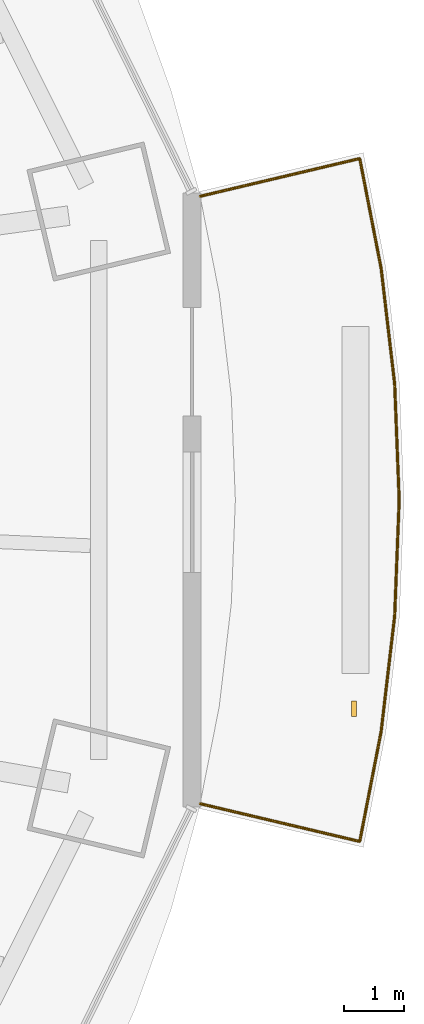
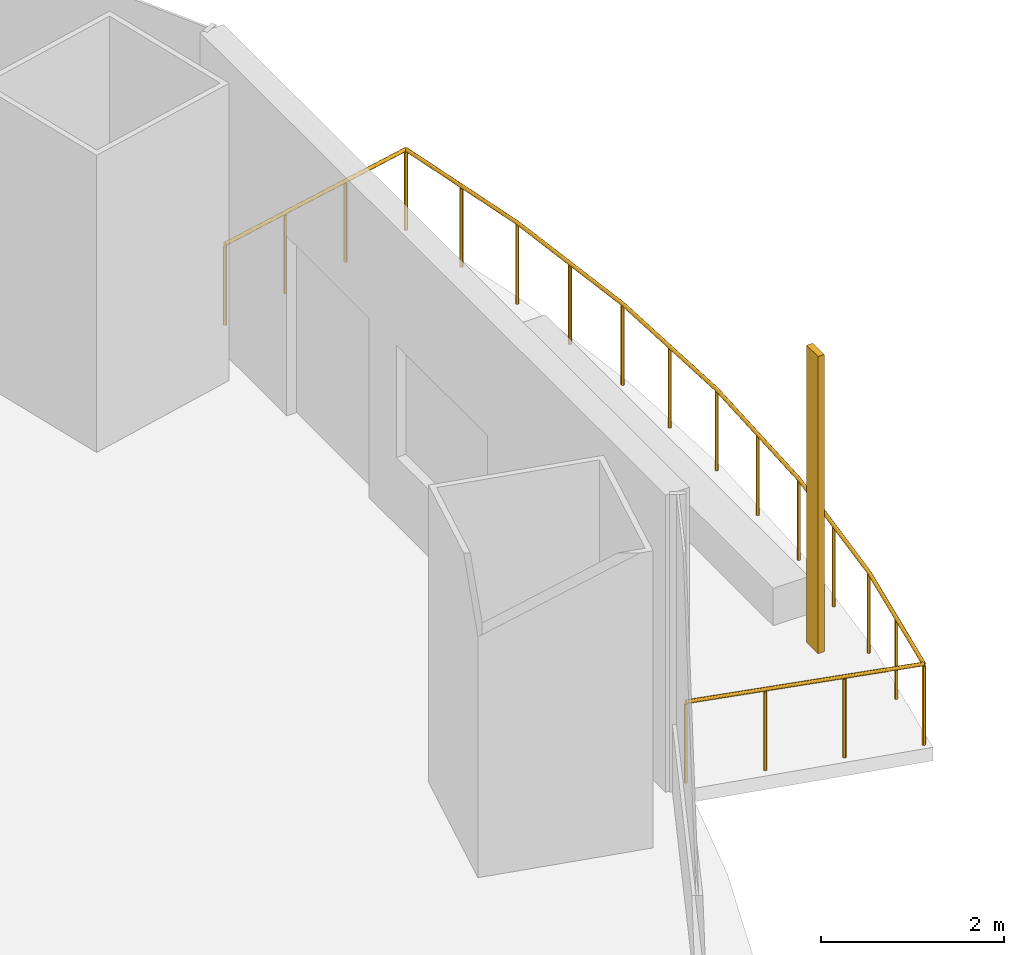
# One storey, part 19 of 20: 1 railing, 1 shading device.
"""IFC4 building model written with IfcOpenShell, lengths in metres."""

from ifc_helpers import new_model, si_unit, direction, frame, origin, origin_2d, place, context, subcontext, project, spatial, rectangle, circle, extrude, material, material_profile, profile_set, type_object, element, save


model = new_model("IFC4")

# Units and contexts
model_context = context("Model", 3, precision=1e-05, world=origin(), true_north=direction((0.0, 1.0)))
body_context = subcontext(model_context, "Body", "Model", "MODEL_VIEW")
ifc_project = project(units=[si_unit("LENGTHUNIT", "METRE"), si_unit("AREAUNIT", "SQUARE_METRE"), si_unit("VOLUMEUNIT", "CUBIC_METRE"), si_unit("PLANEANGLEUNIT", "RADIAN"), si_unit("MASSUNIT", "GRAM", prefix="KILO")], contexts=[model_context])

# Site, building, storey
site_placement = place(None, origin())
site = spatial("IfcSite", under=ifc_project, at=site_placement, CompositionType="ELEMENT")
building_placement = place(site_placement, origin())
building = spatial("IfcBuilding", under=site, at=building_placement, Name="Marenthal Gate Tower", CompositionType="ELEMENT")
storey_placement = place(building_placement, frame((0.0, 0.0, 215.0)))
storey = spatial("IfcBuildingStorey", under=building, at=storey_placement, Name="L47", CompositionType="ELEMENT", Elevation=215.0)

# Railing
ifc_material_1 = material(Name="Stainless steel", Category="steel")
railing_type = type_object("IfcRailingType", Name="Balcony guard 1100", PredefinedType="GUARDRAIL", material=ifc_material_1)
railing_placement = place(storey_placement, frame((32.468017578125, 4.443359375, 0.0)))
element("IfcRailing", 1, at=railing_placement, inside=storey, type_object=railing_type, Name="Balcony guard L47 bay 16", PredefinedType="GUARDRAIL", context=body_context, shape_type="SweptSolid", body=[
    extrude(circle(Radius=0.02392578125, at=origin_2d()), frame((0.0, 0.0, 1.076171875), z_axis=(0.973052153091, 0.230114897669, -0.014718737604), x_axis=(-0.230139827907, 0.97315757183, 0.0)), (0.0, 0.0, 1.0), 2.72021484375),
    extrude(circle(Radius=0.02392578125, at=origin_2d()), frame((2.64697265625, 0.6259765625, 1.0361328125), z_axis=(0.19120755082, -0.981549628144, 0.0), x_axis=(0.981549628144, 0.19120755082, 0.0)), (0.0, 0.0, 1.0), 1.8564453125),
    extrude(circle(Radius=0.02392578125, at=origin_2d()), frame((3.001953125, -1.1962890625, 1.0361328125), z_axis=(0.116379345388, -0.993204836862, 0.0), x_axis=(0.993204836862, 0.116379345388, 0.0)), (0.0, 0.0, 1.0), 1.93212890625),
    extrude(circle(Radius=0.02392578125, at=origin_2d()), frame((3.226806640625, -3.115234375, 1.0361328125), z_axis=(0.038967595119, -0.999240474826, 0.0), x_axis=(0.999240474826, 0.038967595119, 0.0)), (0.0, 0.0, 1.0), 1.9296875),
    extrude(circle(Radius=0.02392578125, at=origin_2d()), frame((3.302001953125, -5.04345703125, 1.0361328125), z_axis=(-0.038972522105, -0.999240282675, 0.0), x_axis=(0.999240282675, -0.038972522105, 0.0)), (0.0, 0.0, 1.0), 1.929443359375),
    extrude(circle(Radius=0.02392578125, at=origin_2d()), frame((3.226806640625, -6.971435546875, 1.0361328125), z_axis=(-0.116379345388, -0.993204836862, 0.0), x_axis=(0.993204836862, -0.116379345388, 0.0)), (0.0, 0.0, 1.0), 1.93212890625),
    extrude(circle(Radius=0.02392578125, at=origin_2d()), frame((3.001953125, -8.890380859375, 1.0361328125), z_axis=(-0.191182873219, -0.981554435061, 0.0), x_axis=(0.981554435061, -0.191182873219, 0.0)), (0.0, 0.0, 1.0), 1.856689453125),
    extrude(circle(Radius=0.02392578125, at=origin_2d()), frame((2.64697265625, -10.712890625, 1.0361328125), z_axis=(-0.97303205389, 0.230199891, 0.014718433577), x_axis=(-0.230224829417, -0.973137466096, 0.0)), (0.0, 0.0, 1.0), 2.72021484375),
    extrude(circle(Radius=0.02099609375, at=origin_2d()), origin(), (0.0, 0.0, 1.0), 1.052001953125),
    extrude(circle(Radius=0.02099609375, at=origin_2d()), frame((0.88232421875, 0.208740234375, -0.013427734375)), (0.0, 0.0, 1.0), 1.052001953125),
    extrude(circle(Radius=0.02099609375, at=origin_2d()), frame((1.7646484375, 0.417236328125, -0.026611328125)), (0.0, 0.0, 1.0), 1.052001953125),
    extrude(circle(Radius=0.02099609375, at=origin_2d()), frame((2.64697265625, 0.6259765625, -0.0400390625)), (0.0, 0.0, 1.0), 1.052001953125),
    extrude(circle(Radius=0.02099609375, at=origin_2d()), frame((2.824462890625, -0.28515625, -0.0400390625)), (0.0, 0.0, 1.0), 1.052001953125),
    extrude(circle(Radius=0.02099609375, at=origin_2d()), frame((3.001953125, -1.1962890625, -0.0400390625)), (0.0, 0.0, 1.0), 1.052001953125),
    extrude(circle(Radius=0.02099609375, at=origin_2d()), frame((3.1142578125, -2.15576171875, -0.0400390625)), (0.0, 0.0, 1.0), 1.052001953125),
    extrude(circle(Radius=0.02099609375, at=origin_2d()), frame((3.226806640625, -3.115234375, -0.0400390625)), (0.0, 0.0, 1.0), 1.052001953125),
    extrude(circle(Radius=0.02099609375, at=origin_2d()), frame((3.264404296875, -4.079345703125, -0.0400390625)), (0.0, 0.0, 1.0), 1.052001953125),
    extrude(circle(Radius=0.02099609375, at=origin_2d()), frame((3.302001953125, -5.04345703125, -0.0400390625)), (0.0, 0.0, 1.0), 1.052001953125),
    extrude(circle(Radius=0.02099609375, at=origin_2d()), frame((3.264404296875, -6.00732421875, -0.0400390625)), (0.0, 0.0, 1.0), 1.052001953125),
    extrude(circle(Radius=0.02099609375, at=origin_2d()), frame((3.226806640625, -6.971435546875, -0.0400390625)), (0.0, 0.0, 1.0), 1.052001953125),
    extrude(circle(Radius=0.02099609375, at=origin_2d()), frame((3.1142578125, -7.930908203125, -0.0400390625)), (0.0, 0.0, 1.0), 1.052001953125),
    extrude(circle(Radius=0.02099609375, at=origin_2d()), frame((3.001953125, -8.890380859375, -0.0400390625)), (0.0, 0.0, 1.0), 1.052001953125),
    extrude(circle(Radius=0.02099609375, at=origin_2d()), frame((2.824462890625, -9.8017578125, -0.0400390625)), (0.0, 0.0, 1.0), 1.052001953125),
    extrude(circle(Radius=0.02099609375, at=origin_2d()), frame((2.64697265625, -10.712890625, -0.0400390625)), (0.0, 0.0, 1.0), 1.052001953125),
    extrude(circle(Radius=0.02099609375, at=origin_2d()), frame((1.7646484375, -10.504150390625, -0.026611328125)), (0.0, 0.0, 1.0), 1.052001953125),
    extrude(circle(Radius=0.02099609375, at=origin_2d()), frame((0.88232421875, -10.29541015625, -0.013427734375)), (0.0, 0.0, 1.0), 1.052001953125),
    extrude(circle(Radius=0.02099609375, at=origin_2d()), frame((0.0, -10.086669921875, 0.0)), (0.0, 0.0, 1.0), 1.052001953125),
])

# Shading device
ifc_material_2 = material(Name="Terracotta", Category="masonry")
ifc_material_profile = material_profile(ifc_material_2, rectangle(XDim=0.25, YDim=0.080078125, at=origin_2d()), Name="Terracotta baguette 250x80")
ifc_profile_set = profile_set([ifc_material_profile], Name="Terracotta")
shading_device_type = type_object("IfcShadingDeviceType", Name="Terracotta BAGUETTE SCREEN 250x80", PredefinedType="USERDEFINED", material=ifc_profile_set)
shading_device_placement = place(storey_placement, frame((35.01806640625, -4.06640625, -0.0400390625), z_axis=(0.0, 0.0, 1.0), x_axis=(0.0, 1.0, 0.0)))
element("IfcShadingDevice", 2, at=shading_device_placement, inside=storey, type_object=shading_device_type, Name="Terracotta BAGUETTE L47 bay 16L", ObjectType="BAGUETTE SCREEN", PredefinedType="USERDEFINED", context=body_context, shape_type="SweptSolid", body=[
    extrude(rectangle(XDim=0.25, YDim=0.080078125, at=origin_2d()), origin(), (0.0, 0.0, 1.0), 3.969970703125),
])

save(model, "model.ifc")
